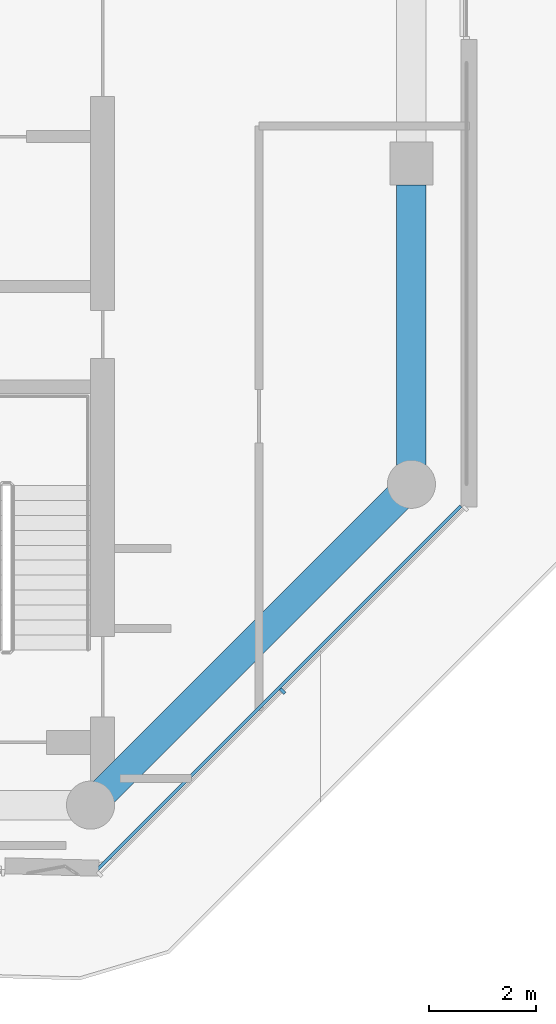
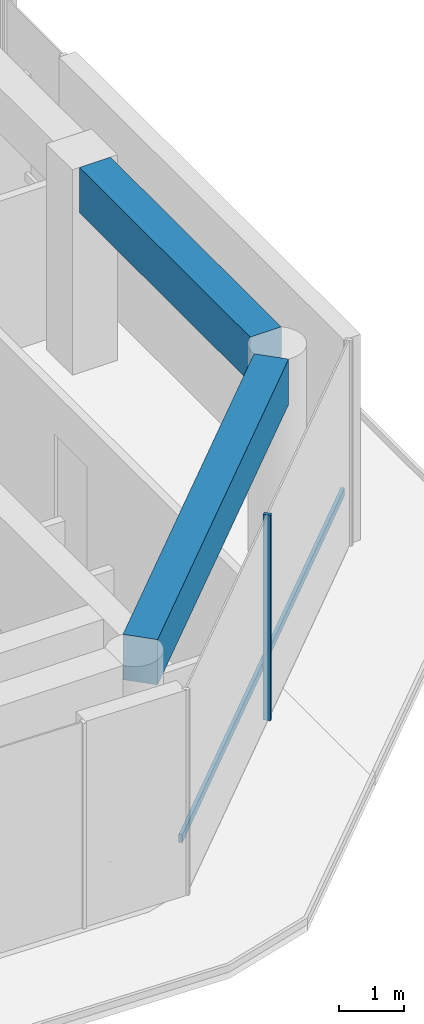
# One storey, part 3 of 19: 2 beams, 2 members, 1 element without a shape of its own.
"""IFC4 building model written with IfcOpenShell, lengths in metres."""

from ifc_helpers import new_model, si_unit, direction, frame, origin, origin_2d, place, context, subcontext, project, spatial, rectangle, extrude, material, layer, layer_set, material_profile, profile_set, type_object, element, aggregate, save


model = new_model("IFC4")

# Units and contexts
model_context = context("Model", 3, precision=1e-05, world=origin(), true_north=direction((0.0, 1.0)))
body_context = subcontext(model_context, "Body", "Model", "MODEL_VIEW")
ifc_project = project(units=[si_unit("LENGTHUNIT", "METRE"), si_unit("AREAUNIT", "SQUARE_METRE"), si_unit("VOLUMEUNIT", "CUBIC_METRE"), si_unit("PLANEANGLEUNIT", "RADIAN"), si_unit("MASSUNIT", "GRAM", prefix="KILO")], contexts=[model_context])

# Site, building, storey
site_placement = place(None, origin())
site = spatial("IfcSite", under=ifc_project, at=site_placement, CompositionType="ELEMENT")
building_placement = place(site_placement, origin())
building = spatial("IfcBuilding", under=site, at=building_placement, Name="Welwitschia Terrace Campus", CompositionType="ELEMENT")
storey_placement = place(building_placement, frame((0.0, 0.0, 234.800048828125)))
storey = spatial("IfcBuildingStorey", under=building, at=storey_placement, Name="L52", CompositionType="ELEMENT", Elevation=234.800048828125)

# Curtain wall, member
ifc_material_1 = material(Name="Bronze anodised aluminium", Category="aluminium")
ifc_layer = layer(ifc_material_1, 0.1201171875)
ifc_layer_set = layer_set([ifc_layer], Name="Bronze anodised aluminium")
curtain_wall_type = type_object("IfcCurtainWallType", Name="Curtain wall CW2 tower 6000", PredefinedType="NOTDEFINED", material=ifc_layer_set)
curtain_wall_placement = place(storey_placement, origin())
curtain_wall = element("IfcCurtainWall", 1, at=curtain_wall_placement, inside=storey, type_object=curtain_wall_type, Name="CW L52.5.0", PredefinedType="NOTDEFINED")
ifc_material_2 = material(Name="Bronze anodised aluminium", Category="aluminium")
ifc_material_profile_1 = material_profile(ifc_material_2, rectangle(XDim=0.1201171875, YDim=0.06005859375, at=origin_2d()))
ifc_profile_set_1 = profile_set([ifc_material_profile_1], Name="Bronze anodised aluminium")
member_type_1 = type_object("IfcMemberType", Name="Mullion 60x120", PredefinedType="MULLION", material=ifc_profile_set_1)
member_1_placement = place(storey_placement, frame((27.58935546875, 6.1328125, 0.0), z_axis=(0.0, 0.0, 1.0), x_axis=(-0.707106781187, 0.707106781187, 0.0)))
member_1 = element("IfcMember", 2, at=member_1_placement, type_object=member_type_1, Name="Mullion L52.5.0.1", PredefinedType="MULLION", context=body_context, shape_type="SweptSolid", body=[
    extrude(rectangle(XDim=0.1201171875, YDim=0.06005859375, at=origin_2d()), origin(), (0.0, 0.0, 1.0), 3.849853515625),
])

# Beams
ifc_material_3 = material(Name="Concrete C50/60", Category="concrete")
ifc_material_profile_2 = material_profile(ifc_material_3, rectangle(XDim=0.550048828125, YDim=0.85009765625, at=origin_2d()))
ifc_profile_set_2 = profile_set([ifc_material_profile_2], Name="Concrete C50/60")
beam_type = type_object("IfcBeamType", Name="Ring spandrel 550x850", PredefinedType="SPANDREL", material=ifc_profile_set_2)
beam_1_placement = place(storey_placement, frame((24.25244140625, 4.25244140625, 3.425048828125), z_axis=(0.707106781187, 0.707106781187, 0.0), x_axis=(-0.707106781187, 0.707106781187, 0.0)))
element("IfcBeam", 3, at=beam_1_placement, inside=storey, type_object=beam_type, Name="Spandrel SP3", PredefinedType="SPANDREL", context=body_context, shape_type="SweptSolid", body=[
    extrude(rectangle(XDim=0.550048828125, YDim=0.85009765625, at=origin_2d()), origin(), (0.0, 0.0, 1.0), 7.771240234375),
])
beam_2_placement = place(storey_placement, frame((30.0, 10.35693359375, 3.425048828125), z_axis=(0.0, 1.0, 0.0), x_axis=(-1.0, 0.0, 0.0)))
element("IfcBeam", 4, at=beam_2_placement, inside=storey, type_object=beam_type, Name="Spandrel SP3", PredefinedType="SPANDREL", context=body_context, shape_type="SweptSolid", body=[
    extrude(rectangle(XDim=0.550048828125, YDim=0.85009765625, at=origin_2d()), origin(), (0.0, 0.0, 1.0), 5.24267578125),
])

# Member
ifc_material_4 = material(Name="Bronze anodised aluminium", Category="aluminium")
ifc_material_profile_3 = material_profile(ifc_material_4, rectangle(XDim=0.06005859375, YDim=0.14990234375, at=origin_2d()))
ifc_profile_set_3 = profile_set([ifc_material_profile_3], Name="Bronze anodised aluminium")
member_type_2 = type_object("IfcMemberType", Name="Transom 60x150", PredefinedType="USERDEFINED", material=ifc_profile_set_3)
member_2_placement = place(storey_placement, frame((24.12744140625, 2.798095703125, 1.0), z_axis=(0.707106781187, 0.707106781187, 0.0), x_axis=(-0.707106781187, 0.707106781187, 0.0)))
member_2 = element("IfcMember", 5, at=member_2_placement, type_object=member_type_2, Name="Transom L52.5.0", ObjectType="TRANSOM", PredefinedType="USERDEFINED", context=body_context, shape_type="SweptSolid", body=[
    extrude(rectangle(XDim=0.06005859375, YDim=0.14990234375, at=origin_2d()), origin(), (0.0, 0.0, 1.0), 9.611572265625),
])

aggregate(curtain_wall, [member_1, member_2])

save(model, "model.ifc")
